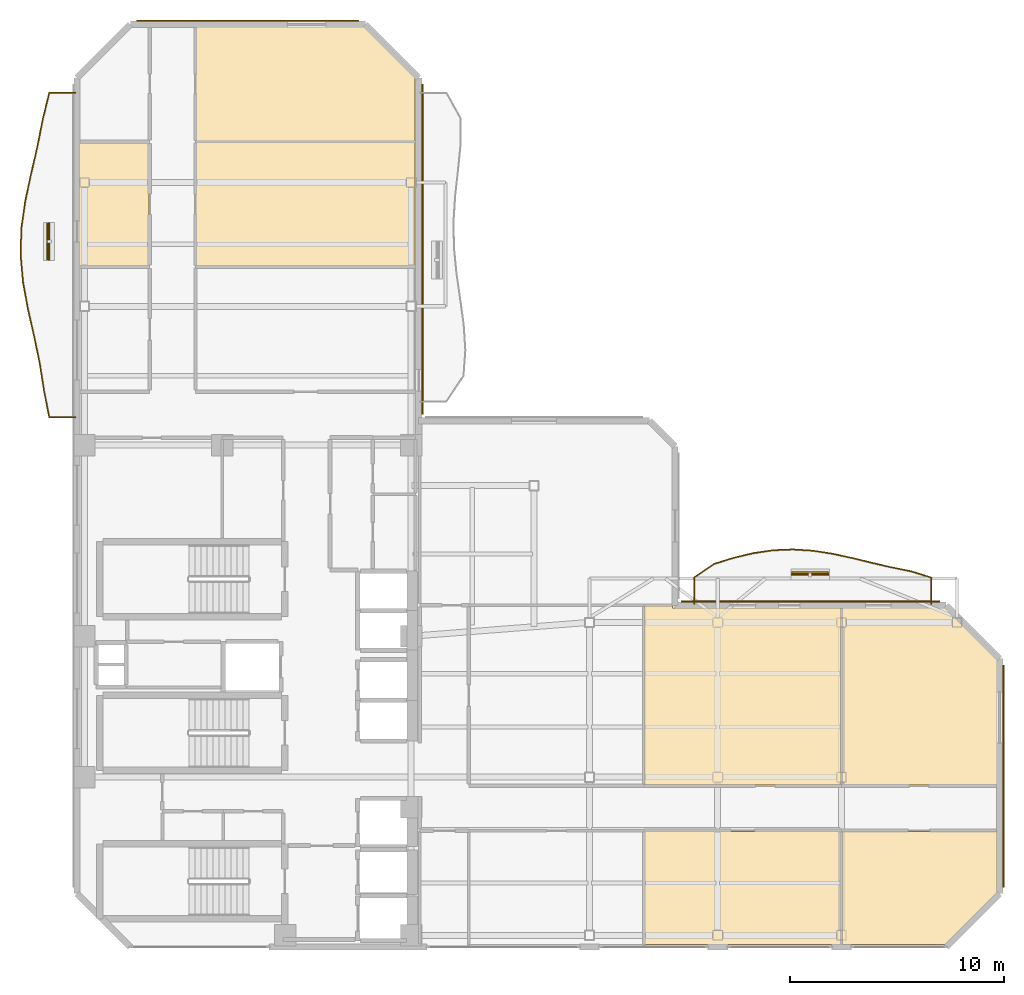
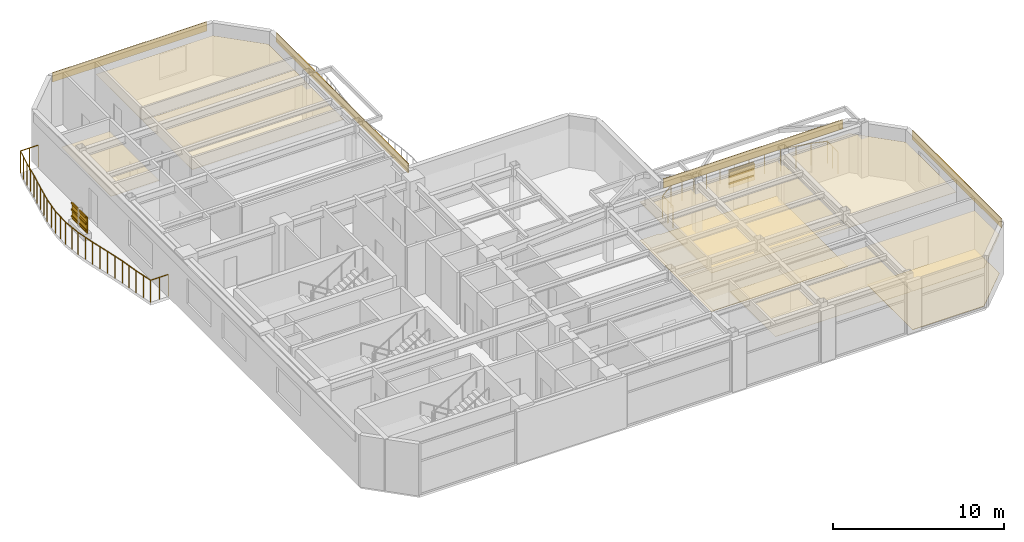
# One storey, part 16 of 17: 13 coverings, 8 shading devices, 2 railings.
"""IFC4 building model written with IfcOpenShell, lengths in metres."""

from ifc_helpers import new_model, si_unit, direction, frame, origin, origin_2d, place, context, subcontext, project, spatial, polyline, rectangle, outline, extrude, material, layer, layer_set, material_profile, profile_set, type_object, element, save


model = new_model("IFC4")

# Units and contexts
model_context = context("Model", 3, precision=1e-05, world=origin(), true_north=direction((0.0, 1.0)))
body_context = subcontext(model_context, "Body", "Model", "MODEL_VIEW")
ifc_project = project(units=[si_unit("LENGTHUNIT", "METRE"), si_unit("AREAUNIT", "SQUARE_METRE"), si_unit("VOLUMEUNIT", "CUBIC_METRE"), si_unit("PLANEANGLEUNIT", "RADIAN"), si_unit("MASSUNIT", "GRAM", prefix="KILO")], contexts=[model_context])

# Site, building, storey
site_placement = place(None, origin())
site = spatial("IfcSite", under=ifc_project, at=site_placement, CompositionType="ELEMENT")
building_placement = place(site_placement, origin())
building = spatial("IfcBuilding", under=site, at=building_placement, Name="Mawjaban Terraces University", CompositionType="ELEMENT")
storey_placement = place(building_placement, frame((0.0, 0.0, 183.60009765625)))
storey = spatial("IfcBuildingStorey", under=building, at=storey_placement, Name="L44", CompositionType="ELEMENT", Elevation=183.60009765625)

# Coverings
ifc_material_1 = material(Name="Acoustic mineral fibre ceiling tile", Category="masonry")
ifc_layer_1 = layer(ifc_material_1, 0.02001953125)
ifc_layer_set_1 = layer_set([ifc_layer_1], Name="Acoustic mineral fibre ceiling tile")
covering_type_1 = type_object("IfcCoveringType", Name="AcousticMineralCeiling_20", PredefinedType="CEILING", material=ifc_layer_set_1)
covering_1_placement = place(storey_placement, frame((0.0, 0.0, 2.75)))
element("IfcCovering", 1, at=covering_1_placement, inside=storey, type_object=covering_type_1, Name="L44 Teaching Laboratory 4 Acoustic Ceiling", PredefinedType="CEILING", context=body_context, shape_type="SweptSolid", body=[
    extrude(outline(polyline([(48.580078125, 0.114990234375), (57.77001953125, 0.114990234375), (57.77001953125, 5.419921875), (48.580078125, 5.419921875), (48.580078125, 0.114990234375)])), origin(), (0.0, 0.0, 1.0), 0.02001953125),
])
covering_2_placement = place(storey_placement, frame((0.0, 0.0, 2.75)))
element("IfcCovering", 2, at=covering_2_placement, inside=storey, type_object=covering_type_1, Name="L44 Seminar Room 5 Acoustic Ceiling", PredefinedType="CEILING", context=body_context, shape_type="SweptSolid", body=[
    extrude(outline(polyline([(57.77001953125, 15.885009765625), (49.885009765625, 15.885009765625), (49.885009765625, 15.969970703125), (48.580078125, 15.969970703125), (48.580078125, 7.580078125), (57.77001953125, 7.580078125), (57.77001953125, 15.885009765625)])), origin(), (0.0, 0.0, 1.0), 0.02001953125),
])
covering_3_placement = place(storey_placement, frame((0.0, 0.0, 2.75)))
element("IfcCovering", 3, at=covering_3_placement, inside=storey, type_object=covering_type_1, Name="L44 Classroom 6 Acoustic Ceiling", PredefinedType="CEILING", context=body_context, shape_type="SweptSolid", body=[
    extrude(outline(polyline([(57.830078125, 0.114990234375), (62.653076171875, 0.114990234375), (65.0849609375, 2.547119140625), (65.0849609375, 5.419921875), (57.830078125, 5.419921875), (57.830078125, 0.114990234375)])), origin(), (0.0, 0.0, 1.0), 0.02001953125),
])
covering_4_placement = place(storey_placement, frame((0.0, 0.0, 2.75)))
element("IfcCovering", 4, at=covering_4_placement, inside=storey, type_object=covering_type_1, Name="L44 Faculty Office 7 Acoustic Ceiling", PredefinedType="CEILING", context=body_context, shape_type="SweptSolid", body=[
    extrude(outline(polyline([(65.0849609375, 7.580078125), (65.0849609375, 13.452880859375), (62.653076171875, 15.885009765625), (57.830078125, 15.885009765625), (57.830078125, 7.580078125), (65.0849609375, 7.580078125)])), origin(), (0.0, 0.0, 1.0), 0.02001953125),
])
covering_5_placement = place(storey_placement, frame((0.0, 0.0, 2.75)))
element("IfcCovering", 5, at=covering_5_placement, inside=storey, type_object=covering_type_1, Name="L44 Design Studio 10 Acoustic Ceiling", PredefinedType="CEILING", context=body_context, shape_type="SweptSolid", body=[
    extrude(outline(polyline([(22.114990234375, 37.666015625), (22.114990234375, 31.8779296875), (25.3701171875, 31.8779296875), (25.3701171875, 37.666015625), (22.114990234375, 37.666015625)])), origin(), (0.0, 0.0, 1.0), 0.02001953125),
])
covering_6_placement = place(storey_placement, frame((0.0, 0.0, 2.75)))
element("IfcCovering", 6, at=covering_6_placement, inside=storey, type_object=covering_type_1, Name="L44 Faculty Office 11 Acoustic Ceiling", PredefinedType="CEILING", context=body_context, shape_type="SweptSolid", body=[
    extrude(outline(polyline([(37.820068359375, 31.8779296875), (37.820068359375, 37.666015625), (27.580078125, 37.666015625), (27.580078125, 31.8779296875), (37.820068359375, 31.8779296875)])), origin(), (0.0, 0.0, 1.0), 0.02001953125),
])
covering_7_placement = place(storey_placement, frame((0.0, 0.0, 2.75)))
element("IfcCovering", 7, at=covering_7_placement, inside=storey, type_object=covering_type_1, Name="L44 Collaborative Study Room 13 Acoustic Ceiling", PredefinedType="CEILING", context=body_context, shape_type="SweptSolid", body=[
    extrude(outline(polyline([(37.820068359375, 40.718017578125), (35.452880859375, 43.0849609375), (27.580078125, 43.0849609375), (27.580078125, 37.72607421875), (37.820068359375, 37.72607421875), (37.820068359375, 40.718017578125)])), origin(), (0.0, 0.0, 1.0), 0.02001953125),
])

# Railings
ifc_material_2 = material(Name="Galvanised powder-coated steel S355", Category="steel")
railing_type = type_object("IfcRailingType", Name="BalconyBalustrade_1600", PredefinedType="BALUSTRADE", material=ifc_material_2)
railing_1_placement = place(storey_placement, frame((21.919921875, 24.800048828125, 0.0)))
element("IfcRailing", 8, at=railing_1_placement, inside=storey, type_object=railing_type, Name="L44 Balcony Guardrail west", PredefinedType="BALUSTRADE", context=body_context, shape_type="SweptSolid", body=[
    extrude(rectangle(XDim=0.048095703125, YDim=0.048095703125, at=origin_2d()), frame((0.0, 0.0, 1.576171875), z_axis=(-1.0, 0.0, 0.0), x_axis=(0.0, -1.0, 0.0)), (0.0, 0.0, 1.0), 1.219970703125),
    extrude(rectangle(XDim=0.048095703125, YDim=0.048095703125, at=origin_2d()), frame((-1.219970703125, 0.0, 1.576171875), z_axis=(-0.192878604665, 0.981222627064, 0.0), x_axis=(-0.981222627064, -0.192878604665, 0.0)), (0.0, 0.0, 1.0), 1.291015625),
    extrude(rectangle(XDim=0.048095703125, YDim=0.048095703125, at=origin_2d()), frame((-1.468994140625, 1.266845703125, 1.576171875), z_axis=(-0.153760748703, 0.988108107526, 0.0), x_axis=(-0.988108107526, -0.153760748703, 0.0)), (0.0, 0.0, 1.0), 1.28125),
    extrude(rectangle(XDim=0.048095703125, YDim=0.048095703125, at=origin_2d()), frame((-1.666015625, 2.532958984375, 1.576171875), z_axis=(-0.205354685129, 0.978687617831, 0.0), x_axis=(-0.978687617831, -0.205354685129, 0.0)), (0.0, 0.0, 1.0), 1.294677734375),
    extrude(rectangle(XDim=0.048095703125, YDim=0.048095703125, at=origin_2d()), frame((-1.931884765625, 3.800048828125, 1.576171875), z_axis=(-0.220312798327, 0.975429275188, 0.0), x_axis=(-0.975429275188, -0.220312798327, 0.0)), (0.0, 0.0, 1.0), 1.298828125),
    extrude(rectangle(XDim=0.048095703125, YDim=0.048095703125, at=origin_2d()), frame((-2.218017578125, 5.06689453125, 1.576171875), z_axis=(-0.180187181391, 0.983632339679, 0.0), x_axis=(-0.983632339679, -0.180187181391, 0.0)), (0.0, 0.0, 1.0), 1.287109375),
    extrude(rectangle(XDim=0.048095703125, YDim=0.048095703125, at=origin_2d()), frame((-2.449951171875, 6.3330078125, 1.576171875), z_axis=(-0.089635795522, 0.995974610199, 0.0), x_axis=(-0.995974610199, -0.089635795522, 0.0)), (0.0, 0.0, 1.0), 1.27197265625),
    extrude(rectangle(XDim=0.048095703125, YDim=0.048095703125, at=origin_2d()), frame((-2.56396484375, 7.599853515625, 1.576171875), z_axis=(0.03081387714, 0.999525139742, 0.0), x_axis=(-0.999525139742, 0.03081387714, 0.0)), (0.0, 0.0, 1.0), 1.267578125),
    extrude(rectangle(XDim=0.048095703125, YDim=0.048095703125, at=origin_2d()), frame((-2.52490234375, 8.866943359375, 1.576171875), z_axis=(0.141448080519, 0.989945675538, 0.0), x_axis=(-0.989945675538, 0.141448080519, 0.0)), (0.0, 0.0, 1.0), 1.279052734375),
    extrude(rectangle(XDim=0.048095703125, YDim=0.048095703125, at=origin_2d()), frame((-2.343994140625, 10.133056640625, 1.576171875), z_axis=(0.209902241182, 0.97772237836, 0.0), x_axis=(-0.97772237836, 0.209902241182, 0.0)), (0.0, 0.0, 1.0), 1.295654296875),
    extrude(rectangle(XDim=0.048095703125, YDim=0.048095703125, at=origin_2d()), frame((-2.072021484375, 11.39990234375, 1.576171875), z_axis=(0.225448983558, 0.974254974744, 0.0), x_axis=(-0.974254974744, 0.225448983558, 0.0)), (0.0, 0.0, 1.0), 1.300537109375),
    extrude(rectangle(XDim=0.048095703125, YDim=0.048095703125, at=origin_2d()), frame((-1.77880859375, 12.6669921875, 1.576171875), z_axis=(0.193750446921, 0.981050846958, 0.0), x_axis=(-0.981050846958, 0.193750446921, 0.0)), (0.0, 0.0, 1.0), 1.290283203125),
    extrude(rectangle(XDim=0.048095703125, YDim=0.048095703125, at=origin_2d()), frame((-1.52880859375, 13.932861328125, 1.576171875), z_axis=(0.236805346908, 0.971557114984, 0.0), x_axis=(-0.971557114984, 0.236805346908, 0.0)), (0.0, 0.0, 1.0), 1.30419921875),
    extrude(rectangle(XDim=0.048095703125, YDim=0.048095703125, at=origin_2d()), frame((-1.219970703125, 15.199951171875, 1.576171875), z_axis=(1.0, 0.0, 0.0), x_axis=(0.0, 1.0, 0.0)), (0.0, 0.0, 1.0), 1.219970703125),
    extrude(rectangle(XDim=0.0419921875, YDim=0.0419921875, at=origin_2d()), origin(), (0.0, 0.0, 1.0), 1.552001953125),
    extrude(rectangle(XDim=0.0419921875, YDim=0.0419921875, at=origin_2d()), frame((-0.60986328125, 0.0, 0.0)), (0.0, 0.0, 1.0), 1.552001953125),
    extrude(rectangle(XDim=0.0419921875, YDim=0.0419921875, at=origin_2d()), frame((-1.219970703125, 0.0, 0.0)), (0.0, 0.0, 1.0), 1.552001953125),
    extrude(rectangle(XDim=0.0419921875, YDim=0.0419921875, at=origin_2d()), frame((-1.344482421875, 0.63330078125, 0.0)), (0.0, 0.0, 1.0), 1.552001953125),
    extrude(rectangle(XDim=0.0419921875, YDim=0.0419921875, at=origin_2d()), frame((-1.468994140625, 1.266845703125, 0.0)), (0.0, 0.0, 1.0), 1.552001953125),
    extrude(rectangle(XDim=0.0419921875, YDim=0.0419921875, at=origin_2d()), frame((-1.5673828125, 1.89990234375, 0.0)), (0.0, 0.0, 1.0), 1.552001953125),
    extrude(rectangle(XDim=0.0419921875, YDim=0.0419921875, at=origin_2d()), frame((-1.666015625, 2.532958984375, 0.0)), (0.0, 0.0, 1.0), 1.552001953125),
    extrude(rectangle(XDim=0.0419921875, YDim=0.0419921875, at=origin_2d()), frame((-1.798828125, 3.16650390625, 0.0)), (0.0, 0.0, 1.0), 1.552001953125),
    extrude(rectangle(XDim=0.0419921875, YDim=0.0419921875, at=origin_2d()), frame((-1.931884765625, 3.800048828125, 0.0)), (0.0, 0.0, 1.0), 1.552001953125),
    extrude(rectangle(XDim=0.0419921875, YDim=0.0419921875, at=origin_2d()), frame((-2.074951171875, 4.43359375, 0.0)), (0.0, 0.0, 1.0), 1.552001953125),
    extrude(rectangle(XDim=0.0419921875, YDim=0.0419921875, at=origin_2d()), frame((-2.218017578125, 5.06689453125, 0.0)), (0.0, 0.0, 1.0), 1.552001953125),
    extrude(rectangle(XDim=0.0419921875, YDim=0.0419921875, at=origin_2d()), frame((-2.333984375, 5.699951171875, 0.0)), (0.0, 0.0, 1.0), 1.552001953125),
    extrude(rectangle(XDim=0.0419921875, YDim=0.0419921875, at=origin_2d()), frame((-2.449951171875, 6.3330078125, 0.0)), (0.0, 0.0, 1.0), 1.552001953125),
    extrude(rectangle(XDim=0.0419921875, YDim=0.0419921875, at=origin_2d()), frame((-2.5068359375, 6.96630859375, 0.0)), (0.0, 0.0, 1.0), 1.552001953125),
    extrude(rectangle(XDim=0.0419921875, YDim=0.0419921875, at=origin_2d()), frame((-2.56396484375, 7.599853515625, 0.0)), (0.0, 0.0, 1.0), 1.552001953125),
    extrude(rectangle(XDim=0.0419921875, YDim=0.0419921875, at=origin_2d()), frame((-2.54443359375, 8.2333984375, 0.0)), (0.0, 0.0, 1.0), 1.552001953125),
    extrude(rectangle(XDim=0.0419921875, YDim=0.0419921875, at=origin_2d()), frame((-2.52490234375, 8.866943359375, 0.0)), (0.0, 0.0, 1.0), 1.552001953125),
    extrude(rectangle(XDim=0.0419921875, YDim=0.0419921875, at=origin_2d()), frame((-2.4345703125, 9.5, 0.0)), (0.0, 0.0, 1.0), 1.552001953125),
    extrude(rectangle(XDim=0.0419921875, YDim=0.0419921875, at=origin_2d()), frame((-2.343994140625, 10.133056640625, 0.0)), (0.0, 0.0, 1.0), 1.552001953125),
    extrude(rectangle(XDim=0.0419921875, YDim=0.0419921875, at=origin_2d()), frame((-2.2080078125, 10.7666015625, 0.0)), (0.0, 0.0, 1.0), 1.552001953125),
    extrude(rectangle(XDim=0.0419921875, YDim=0.0419921875, at=origin_2d()), frame((-2.072021484375, 11.39990234375, 0.0)), (0.0, 0.0, 1.0), 1.552001953125),
    extrude(rectangle(XDim=0.0419921875, YDim=0.0419921875, at=origin_2d()), frame((-1.92529296875, 12.033447265625, 0.0)), (0.0, 0.0, 1.0), 1.552001953125),
    extrude(rectangle(XDim=0.0419921875, YDim=0.0419921875, at=origin_2d()), frame((-1.77880859375, 12.6669921875, 0.0)), (0.0, 0.0, 1.0), 1.552001953125),
    extrude(rectangle(XDim=0.0419921875, YDim=0.0419921875, at=origin_2d()), frame((-1.65380859375, 13.2998046875, 0.0)), (0.0, 0.0, 1.0), 1.552001953125),
    extrude(rectangle(XDim=0.0419921875, YDim=0.0419921875, at=origin_2d()), frame((-1.52880859375, 13.932861328125, 0.0)), (0.0, 0.0, 1.0), 1.552001953125),
    extrude(rectangle(XDim=0.0419921875, YDim=0.0419921875, at=origin_2d()), frame((-1.37451171875, 14.56640625, 0.0)), (0.0, 0.0, 1.0), 1.552001953125),
    extrude(rectangle(XDim=0.0419921875, YDim=0.0419921875, at=origin_2d()), frame((-1.219970703125, 15.199951171875, 0.0)), (0.0, 0.0, 1.0), 1.552001953125),
    extrude(rectangle(XDim=0.0419921875, YDim=0.0419921875, at=origin_2d()), frame((-0.60986328125, 15.199951171875, 0.0)), (0.0, 0.0, 1.0), 1.552001953125),
    extrude(rectangle(XDim=0.0419921875, YDim=0.0419921875, at=origin_2d()), frame((0.0, 15.199951171875, 0.0)), (0.0, 0.0, 1.0), 1.552001953125),
])
railing_2_placement = place(storey_placement, frame((50.89990234375, 16.080078125, 0.0)))
element("IfcRailing", 9, at=railing_2_placement, inside=storey, type_object=railing_type, Name="L44 Balcony Guardrail inner_north", PredefinedType="BALUSTRADE", context=body_context, shape_type="SweptSolid", body=[
    extrude(rectangle(XDim=0.048095703125, YDim=0.048095703125, at=origin_2d()), frame((0.0, 0.0, 1.576171875), z_axis=(0.0, 1.0, 0.0), x_axis=(-1.0, 0.0, 0.0)), (0.0, 0.0, 1.0), 1.219970703125),
    extrude(rectangle(XDim=0.048095703125, YDim=0.048095703125, at=origin_2d()), frame((0.0, 1.219970703125, 1.576171875), z_axis=(0.823223290205, 0.567717724282, 0.0), x_axis=(-0.567717724282, 0.823223290205, 0.0)), (0.0, 0.0, 1.0), 1.123779296875),
    extrude(rectangle(XDim=0.048095703125, YDim=0.048095703125, at=origin_2d()), frame((0.925048828125, 1.85791015625, 1.576171875), z_axis=(0.954770964076, 0.297342237427, 0.0), x_axis=(-0.297342237427, 0.954770964076, 0.0)), (0.0, 0.0, 1.0), 0.96875),
    extrude(rectangle(XDim=0.048095703125, YDim=0.048095703125, at=origin_2d()), frame((1.85009765625, 2.14599609375, 1.576171875), z_axis=(0.973103017922, 0.230370389833, 0.0), x_axis=(-0.230370389833, 0.973103017922, 0.0)), (0.0, 0.0, 1.0), 0.95068359375),
    extrude(rectangle(XDim=0.048095703125, YDim=0.048095703125, at=origin_2d()), frame((2.775146484375, 2.364990234375, 1.576171875), z_axis=(0.989516659482, 0.144418768196, 0.0), x_axis=(-0.144418768196, 0.989516659482, 0.0)), (0.0, 0.0, 1.0), 0.934814453125),
    extrude(rectangle(XDim=0.048095703125, YDim=0.048095703125, at=origin_2d()), frame((3.7001953125, 2.5, 1.576171875), z_axis=(0.999120226458, 0.041937728619, 0.0), x_axis=(-0.041937728619, 0.999120226458, 0.0)), (0.0, 0.0, 1.0), 0.925537109375),
    extrude(rectangle(XDim=0.048095703125, YDim=0.048095703125, at=origin_2d()), frame((4.625, 2.538818359375, 1.576171875), z_axis=(0.99791601918, -0.064526108392, 0.0), x_axis=(0.064526108392, 0.99791601918, 0.0)), (0.0, 0.0, 1.0), 0.927001953125),
    extrude(rectangle(XDim=0.048095703125, YDim=0.048095703125, at=origin_2d()), frame((5.550048828125, 2.47900390625, 1.576171875), z_axis=(0.988250775862, -0.152841107061, 0.0), x_axis=(0.152841107061, 0.988250775862, 0.0)), (0.0, 0.0, 1.0), 0.93603515625),
    extrude(rectangle(XDim=0.048095703125, YDim=0.048095703125, at=origin_2d()), frame((6.47509765625, 2.3359375, 1.576171875), z_axis=(0.977213591944, -0.212258323085, 0.0), x_axis=(0.212258323085, 0.977213591944, 0.0)), (0.0, 0.0, 1.0), 0.946533203125),
    extrude(rectangle(XDim=0.048095703125, YDim=0.048095703125, at=origin_2d()), frame((7.400146484375, 2.135009765625, 1.576171875), z_axis=(0.971646907474, -0.236436645207, 0.0), x_axis=(0.236436645207, 0.971646907474, 0.0)), (0.0, 0.0, 1.0), 0.9521484375),
    extrude(rectangle(XDim=0.048095703125, YDim=0.048095703125, at=origin_2d()), frame((8.3251953125, 1.909912109375, 1.576171875), z_axis=(0.974004069032, -0.226530513415, 0.0), x_axis=(0.226530513415, 0.974004069032, 0.0)), (0.0, 0.0, 1.0), 0.949462890625),
    extrude(rectangle(XDim=0.048095703125, YDim=0.048095703125, at=origin_2d()), frame((9.25, 1.69482421875, 1.576171875), z_axis=(0.980170622568, -0.198155369989, 0.0), x_axis=(0.198155369989, 0.980170622568, 0.0)), (0.0, 0.0, 1.0), 0.94384765625),
    extrude(rectangle(XDim=0.048095703125, YDim=0.048095703125, at=origin_2d()), frame((10.175048828125, 1.5078125, 1.576171875), z_axis=(0.954842478745, -0.297112505263, 0.0), x_axis=(0.297112505263, 0.954842478745, 0.0)), (0.0, 0.0, 1.0), 0.96875),
    extrude(rectangle(XDim=0.048095703125, YDim=0.048095703125, at=origin_2d()), frame((11.10009765625, 1.219970703125, 1.576171875), z_axis=(0.0, -1.0, 0.0), x_axis=(1.0, 0.0, 0.0)), (0.0, 0.0, 1.0), 1.219970703125),
    extrude(rectangle(XDim=0.0419921875, YDim=0.0419921875, at=origin_2d()), origin(), (0.0, 0.0, 1.0), 1.552001953125),
    extrude(rectangle(XDim=0.0419921875, YDim=0.0419921875, at=origin_2d()), frame((0.0, 0.60986328125, 0.0)), (0.0, 0.0, 1.0), 1.552001953125),
    extrude(rectangle(XDim=0.0419921875, YDim=0.0419921875, at=origin_2d()), frame((0.0, 1.219970703125, 0.0)), (0.0, 0.0, 1.0), 1.552001953125),
    extrude(rectangle(XDim=0.0419921875, YDim=0.0419921875, at=origin_2d()), frame((0.925048828125, 1.85791015625, 0.0)), (0.0, 0.0, 1.0), 1.552001953125),
    extrude(rectangle(XDim=0.0419921875, YDim=0.0419921875, at=origin_2d()), frame((1.85009765625, 2.14599609375, 0.0)), (0.0, 0.0, 1.0), 1.552001953125),
    extrude(rectangle(XDim=0.0419921875, YDim=0.0419921875, at=origin_2d()), frame((2.775146484375, 2.364990234375, 0.0)), (0.0, 0.0, 1.0), 1.552001953125),
    extrude(rectangle(XDim=0.0419921875, YDim=0.0419921875, at=origin_2d()), frame((3.7001953125, 2.5, 0.0)), (0.0, 0.0, 1.0), 1.552001953125),
    extrude(rectangle(XDim=0.0419921875, YDim=0.0419921875, at=origin_2d()), frame((4.625, 2.538818359375, 0.0)), (0.0, 0.0, 1.0), 1.552001953125),
    extrude(rectangle(XDim=0.0419921875, YDim=0.0419921875, at=origin_2d()), frame((5.550048828125, 2.47900390625, 0.0)), (0.0, 0.0, 1.0), 1.552001953125),
    extrude(rectangle(XDim=0.0419921875, YDim=0.0419921875, at=origin_2d()), frame((6.47509765625, 2.3359375, 0.0)), (0.0, 0.0, 1.0), 1.552001953125),
    extrude(rectangle(XDim=0.0419921875, YDim=0.0419921875, at=origin_2d()), frame((7.400146484375, 2.135009765625, 0.0)), (0.0, 0.0, 1.0), 1.552001953125),
    extrude(rectangle(XDim=0.0419921875, YDim=0.0419921875, at=origin_2d()), frame((8.3251953125, 1.909912109375, 0.0)), (0.0, 0.0, 1.0), 1.552001953125),
    extrude(rectangle(XDim=0.0419921875, YDim=0.0419921875, at=origin_2d()), frame((9.25, 1.69482421875, 0.0)), (0.0, 0.0, 1.0), 1.552001953125),
    extrude(rectangle(XDim=0.0419921875, YDim=0.0419921875, at=origin_2d()), frame((10.175048828125, 1.5078125, 0.0)), (0.0, 0.0, 1.0), 1.552001953125),
    extrude(rectangle(XDim=0.0419921875, YDim=0.0419921875, at=origin_2d()), frame((11.10009765625, 1.219970703125, 0.0)), (0.0, 0.0, 1.0), 1.552001953125),
    extrude(rectangle(XDim=0.0419921875, YDim=0.0419921875, at=origin_2d()), frame((11.10009765625, 0.60986328125, 0.0)), (0.0, 0.0, 1.0), 1.552001953125),
    extrude(rectangle(XDim=0.0419921875, YDim=0.0419921875, at=origin_2d()), frame((11.10009765625, 0.0, 0.0)), (0.0, 0.0, 1.0), 1.552001953125),
])

# Shading devices
ifc_material_3 = material(Name="Glazed architectural terracotta ceramic", Category="masonry")
ifc_material_profile = material_profile(ifc_material_3, rectangle(XDim=0.06494140625, YDim=0.110107421875, at=origin_2d()), Name="TBAG110X65")
ifc_profile_set = profile_set([ifc_material_profile], Name="Glazed architectural terracotta ceramic")
shading_device_type_1 = type_object("IfcShadingDeviceType", Name="TerracottaBaguette_110x65", PredefinedType="USERDEFINED", material=ifc_profile_set)
for number, where, z_axis, x_axis, name in (
    (10, (20.60791015625, 32.18408203125, 0.679931640625), (0.0, 1.0, 0.0), (-1.0, 0.0, 0.0), "L44 Horizontal Terracotta Baguette west.1"),
    (11, (20.60791015625, 32.18408203125, 1.14990234375), (0.0, 1.0, 0.0), (-1.0, 0.0, 0.0), "L44 Horizontal Terracotta Baguette west.2"),
    (12, (20.60791015625, 32.18408203125, 1.619873046875), (0.0, 1.0, 0.0), (-1.0, 0.0, 0.0), "L44 Horizontal Terracotta Baguette west.3"),
):
    element("IfcShadingDevice", number, at=place(storey_placement, frame(where, z_axis=z_axis, x_axis=x_axis)), inside=storey, type_object=shading_device_type_1, Name=name, ObjectType="BAGUETTE", PredefinedType="USERDEFINED", context=body_context, shape_type="SweptSolid", body=[
        extrude(rectangle(XDim=0.06494140625, YDim=0.110107421875, at=origin_2d()), origin(), (0.0, 0.0, 1.0), 1.699951171875),
    ])
for number, where, z_axis, x_axis, name in (
    (13, (55.472900390625, 17.529052734375, 0.679931640625), (1.0, 0.0, 0.0), (0.0, 1.0, 0.0), "L44 Horizontal Terracotta Baguette inner_north.1"),
    (14, (55.472900390625, 17.529052734375, 1.14990234375), (1.0, 0.0, 0.0), (0.0, 1.0, 0.0), "L44 Horizontal Terracotta Baguette inner_north.2"),
    (15, (55.472900390625, 17.529052734375, 1.619873046875), (1.0, 0.0, 0.0), (0.0, 1.0, 0.0), "L44 Horizontal Terracotta Baguette inner_north.3"),
):
    element("IfcShadingDevice", number, at=place(storey_placement, frame(where, z_axis=z_axis, x_axis=x_axis)), inside=storey, type_object=shading_device_type_1, Name=name, ObjectType="BAGUETTE", PredefinedType="USERDEFINED", context=body_context, shape_type="SweptSolid", body=[
        extrude(rectangle(XDim=0.06494140625, YDim=0.110107421875, at=origin_2d()), origin(), (0.0, 0.0, 1.0), 1.7001953125),
    ])
ifc_layer_2 = layer(ifc_material_3, 0.080078125)
ifc_layer_set_2 = layer_set([ifc_layer_2], Name="Glazed architectural terracotta ceramic")
shading_device_type_2 = type_object("IfcShadingDeviceType", Name="TerracottaScreen_Perforated", PredefinedType="USERDEFINED", material=ifc_layer_set_2)
for number, where, z_axis, x_axis, name in (
    (16, (20.693115234375, 33.033935546875, 0.43994140625), (0.0, 0.0, 1.0), (0.0, 1.0, 0.0), "L44 Balcony Perforated Terracotta Screen west"),
    (17, (56.322998046875, 17.444091796875, 0.43994140625), (0.0, 0.0, 1.0), (1.0, 0.0, 0.0), "L44 Balcony Perforated Terracotta Screen inner_north"),
):
    element("IfcShadingDevice", number, at=place(storey_placement, frame(where, z_axis=z_axis, x_axis=x_axis)), inside=storey, type_object=shading_device_type_2, Name=name, ObjectType="SCREEN", PredefinedType="USERDEFINED", context=body_context, shape_type="SweptSolid", body=[
        extrude(rectangle(XDim=1.75, YDim=0.080078125, at=origin_2d()), origin(), (0.0, 0.0, 1.0), 1.14990234375),
    ])

# Coverings
ifc_material_4 = material(Name="Glazed architectural terracotta rainscreen", Category="masonry")
ifc_layer_3 = layer(ifc_material_4, 0.06005859375)
ifc_layer_set_3 = layer_set([ifc_layer_3], Name="Glazed architectural terracotta rainscreen")
covering_type_2 = type_object("IfcCoveringType", Name="TerracottaSpandrelCladding_60", PredefinedType="CLADDING", material=ifc_layer_set_3)
covering_8_placement = place(storey_placement, frame((65.375, 8.0, 3.014892578125), z_axis=(0.0, 0.0, 1.0), x_axis=(0.0, 1.0, 0.0)))
element("IfcCovering", 18, at=covering_8_placement, inside=storey, type_object=covering_type_2, Name="L44 Terracotta Spandrel Cladding 3", PredefinedType="CLADDING", context=body_context, shape_type="SweptSolid", body=[
    extrude(rectangle(XDim=10.39990234375, YDim=0.06005859375, at=origin_2d()), origin(), (0.0, 0.0, 1.0), 0.64990234375),
])
covering_9_placement = place(storey_placement, frame((56.35009765625, 16.175048828125, 3.014892578125), z_axis=(0.0, 0.0, 1.0), x_axis=(-1.0, 0.0, 0.0)))
element("IfcCovering", 19, at=covering_9_placement, inside=storey, type_object=covering_type_2, Name="L44 Terracotta Spandrel Cladding 5", PredefinedType="CLADDING", context=body_context, shape_type="SweptSolid", body=[
    extrude(rectangle(XDim=12.10009765625, YDim=0.06005859375, at=origin_2d()), origin(), (0.0, 0.0, 1.0), 0.64990234375),
])
covering_10_placement = place(storey_placement, frame((38.175048828125, 32.669921875, 3.014892578125), z_axis=(0.0, 0.0, 1.0), x_axis=(0.0, 1.0, 0.0)))
element("IfcCovering", 20, at=covering_10_placement, inside=storey, type_object=covering_type_2, Name="L44 Terracotta Spandrel Cladding 9", PredefinedType="CLADDING", context=body_context, shape_type="SweptSolid", body=[
    extrude(rectangle(XDim=15.4599609375, YDim=0.06005859375, at=origin_2d()), origin(), (0.0, 0.0, 1.0), 0.64990234375),
])
covering_11_placement = place(storey_placement, frame((30.0, 43.375, 3.014892578125), z_axis=(0.0, 0.0, 1.0), x_axis=(-1.0, 0.0, 0.0)))
element("IfcCovering", 21, at=covering_11_placement, inside=storey, type_object=covering_type_2, Name="L44 Terracotta Spandrel Cladding 11", PredefinedType="CLADDING", context=body_context, shape_type="SweptSolid", body=[
    extrude(rectangle(XDim=10.39990234375, YDim=0.06005859375, at=origin_2d()), origin(), (0.0, 0.0, 1.0), 0.64990234375),
])
ifc_material_5 = material(Name="Polished Hijazi granite terrazzo flooring", Category="masonry")
ifc_layer_4 = layer(ifc_material_5, 0.02490234375)
ifc_layer_set_4 = layer_set([ifc_layer_4], Name="Polished Hijazi granite terrazzo flooring")
covering_type_3 = type_object("IfcCoveringType", Name="TerrazzoConcourseFlooring_25", PredefinedType="FLOORING", material=ifc_layer_set_4)
covering_12_placement = place(storey_placement, origin())
element("IfcCovering", 22, at=covering_12_placement, inside=storey, type_object=covering_type_3, Name="L44 Seminar Room 5 Terrazzo Flooring", PredefinedType="FLOORING", context=body_context, shape_type="SweptSolid", body=[
    extrude(outline(polyline([(57.77001953125, 15.885009765625), (49.885009765625, 15.885009765625), (49.885009765625, 15.969970703125), (48.580078125, 15.969970703125), (48.580078125, 7.580078125), (57.77001953125, 7.580078125), (57.77001953125, 15.885009765625)])), origin(), (0.0, 0.0, 1.0), 0.02490234375),
])
covering_13_placement = place(storey_placement, origin())
element("IfcCovering", 23, at=covering_13_placement, inside=storey, type_object=covering_type_3, Name="L44 Classroom 6 Terrazzo Flooring", PredefinedType="FLOORING", context=body_context, shape_type="SweptSolid", body=[
    extrude(outline(polyline([(57.830078125, 0.114990234375), (62.653076171875, 0.114990234375), (65.0849609375, 2.547119140625), (65.0849609375, 5.419921875), (57.830078125, 5.419921875), (57.830078125, 0.114990234375)])), origin(), (0.0, 0.0, 1.0), 0.02490234375),
])

save(model, "model.ifc")
